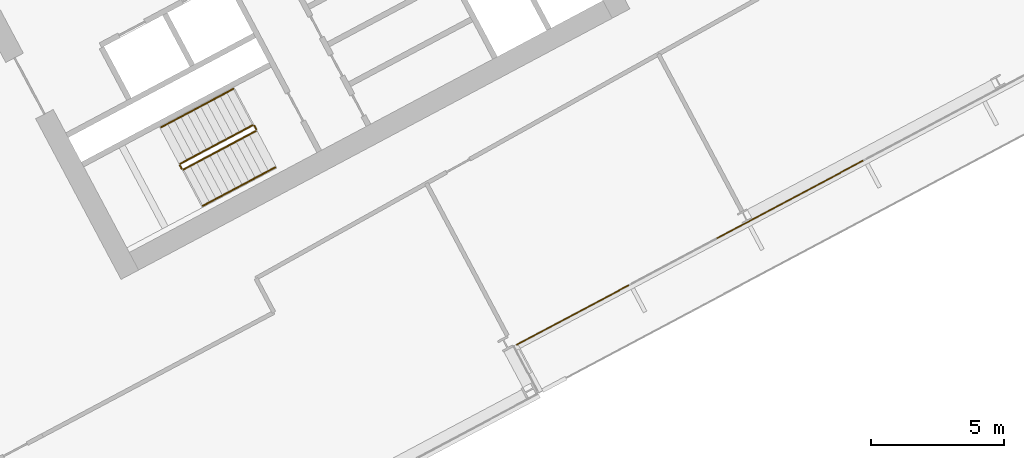
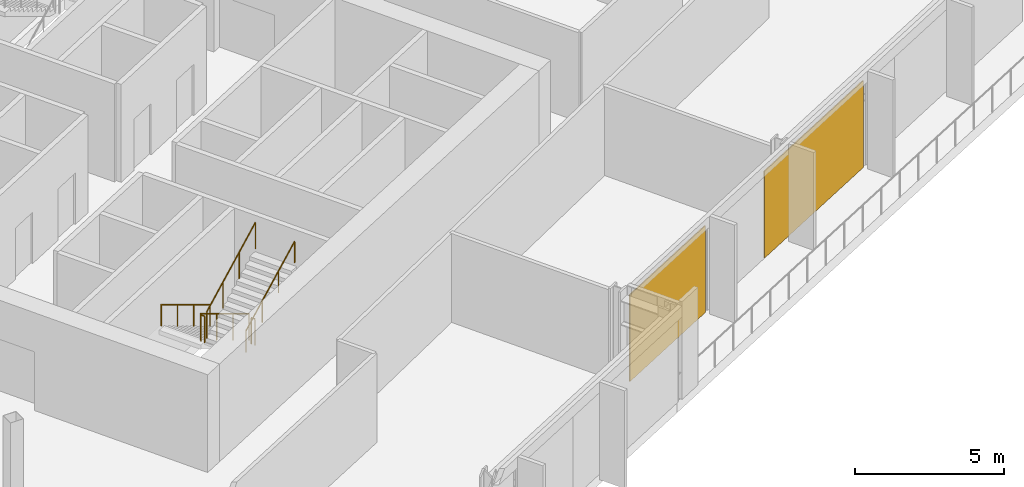
# One storey, part 30 of 34: 6 railings, 2 coverings, 1 element without a shape of its own.
"""IFC4 building model written with IfcOpenShell, lengths in metres."""

from ifc_helpers import new_model, si_unit, direction, frame, origin, origin_2d, place, context, subcontext, project, spatial, polyline, rectangle, outline, extrude, material, layer, layer_set, type_object, element, aggregate, save


model = new_model("IFC4")

# Units and contexts
model_context = context("Model", 3, precision=1e-05, world=origin(), true_north=direction((0.0, 1.0)))
body_context = subcontext(model_context, "Body", "Model", "MODEL_VIEW")
ifc_project = project(units=[si_unit("LENGTHUNIT", "METRE"), si_unit("AREAUNIT", "SQUARE_METRE"), si_unit("VOLUMEUNIT", "CUBIC_METRE"), si_unit("PLANEANGLEUNIT", "RADIAN"), si_unit("MASSUNIT", "GRAM", prefix="KILO")], contexts=[model_context])

# Site, building, storey
site_placement = place(None, origin())
site = spatial("IfcSite", under=ifc_project, at=site_placement, CompositionType="ELEMENT")
building_placement = place(site_placement, origin())
building = spatial("IfcBuilding", under=site, at=building_placement, Name="Cormorant Relay Tower", CompositionType="ELEMENT")
storey_placement = place(building_placement, frame((0.0, 0.0, 118.199951171875)))
storey = spatial("IfcBuildingStorey", under=building, at=storey_placement, Name="L23", CompositionType="ELEMENT", Elevation=118.199951171875)

# Curtain wall, coverings
ifc_material_1 = material(Name="Aluminium 6063-T6 anodised bronze", Category="aluminium")
ifc_layer_1 = layer(ifc_material_1, 0.199951171875)
ifc_layer_set_1 = layer_set([ifc_layer_1], Name="CW1 unitised bronze curtain wall with vertical fins")
curtain_wall_type = type_object("IfcCurtainWallType", Name="CW1 unitised bronze curtain wall with vertical fins", PredefinedType="NOTDEFINED", material=ifc_layer_set_1)
curtain_wall_placement = place(storey_placement, origin())
curtain_wall = element("IfcCurtainWall", 1, at=curtain_wall_placement, inside=storey, type_object=curtain_wall_type, Name="CW1 curtain wall 4", PredefinedType="NOTDEFINED")
ifc_material_2 = material(Name="Pale bronze anodised aluminium insulated panel", Category="aluminium")
ifc_layer_2 = layer(ifc_material_2, 0.0400390625)
ifc_layer_set_2 = layer_set([ifc_layer_2], Name="CW1 pale bronze insulated panel 40")
covering_type = type_object("IfcCoveringType", Name="CW1 pale bronze insulated panel 40", PredefinedType="CLADDING", material=ifc_layer_set_2)
covering_1_placement = place(storey_placement, frame((35.892333984375, -2.457275390625, 0.0), z_axis=(0.0, 0.0, 1.0), x_axis=(0.882947592859, 0.469471562786, 0.0)))
covering_1 = element("IfcCovering", 2, at=covering_1_placement, type_object=covering_type, Name="CW1 panel S00", PredefinedType="CLADDING", context=body_context, shape_type="SweptSolid", body=[
    extrude(rectangle(XDim=4.77490234375, YDim=0.0400390625, at=origin_2d()), origin(), (0.0, 0.0, 1.0), 3.550048828125),
])
covering_2_placement = place(storey_placement, frame((44.07080078125, 1.891357421875, 0.0), z_axis=(0.0, 0.0, 1.0), x_axis=(0.882947592859, 0.469471562786, 0.0)))
covering_2 = element("IfcCovering", 3, at=covering_2_placement, type_object=covering_type, Name="CW1 panel S02", PredefinedType="CLADDING", context=body_context, shape_type="SweptSolid", body=[
    extrude(rectangle(XDim=6.25, YDim=0.0400390625, at=origin_2d()), origin(), (0.0, 0.0, 1.0), 3.550048828125),
])
aggregate(curtain_wall, [covering_1, covering_2])

# Railings
ifc_material_3 = material(Name="Steel ASTM A572 Grade 50 (Fy 345 MPa)", Category="steel")
railing_type_1 = type_object("IfcRailingType", Name="Stair guard 1100", PredefinedType="GUARDRAIL", material=ifc_material_3)
railing_1_placement = place(storey_placement, frame((23.83837890625, 4.6904296875, 0.166748046875)))
element("IfcRailing", 4, at=railing_1_placement, inside=storey, type_object=railing_type_1, Name="L23 B1 stair guard 1", PredefinedType="GUARDRAIL", context=body_context, shape_type="SweptSolid", body=[
    extrude(outline(polyline([(0.022216796875, 0.00927734375), (0.00927734375, 0.022216796875), (-0.00927734375, 0.022216796875), (-0.022216796875, 0.00927734375), (-0.022216796875, -0.00927734375), (-0.00927734375, -0.022216796875), (0.00927734375, -0.022216796875), (0.022216796875, -0.00927734375), (0.022216796875, 0.00927734375)])), frame((0.0, 0.0, 1.076171875), z_axis=(-0.758713656843, -0.403434867536, 0.511462505542), x_axis=(0.469489399267, -0.882938108802, 0.0)), (0.0, 0.0, 1.0), 3.584228515625),
    extrude(outline(polyline([(0.019287109375, 0.008056640625), (0.008056640625, 0.019287109375), (-0.008056640625, 0.019287109375), (-0.019287109375, 0.008056640625), (-0.019287109375, -0.008056640625), (-0.008056640625, -0.019287109375), (0.008056640625, -0.019287109375), (0.019287109375, -0.008056640625), (0.019287109375, 0.008056640625)])), origin(), (0.0, 0.0, 1.0), 1.052001953125),
    extrude(outline(polyline([(0.019287109375, 0.008056640625), (0.008056640625, 0.019287109375), (-0.008056640625, 0.019287109375), (-0.019287109375, 0.008056640625), (-0.019287109375, -0.008056640625), (-0.008056640625, -0.019287109375), (0.008056640625, -0.019287109375), (0.019287109375, -0.008056640625), (0.019287109375, 0.008056640625)])), frame((-0.906494140625, -0.48193359375, 0.611083984375)), (0.0, 0.0, 1.0), 1.052001953125),
    extrude(outline(polyline([(0.019287109375, 0.008056640625), (0.008056640625, 0.019287109375), (-0.008056640625, 0.019287109375), (-0.019287109375, 0.008056640625), (-0.019287109375, -0.008056640625), (-0.008056640625, -0.019287109375), (0.008056640625, -0.019287109375), (0.019287109375, -0.008056640625), (0.019287109375, 0.008056640625)])), frame((-1.81298828125, -0.964111328125, 1.22216796875)), (0.0, 0.0, 1.0), 1.052001953125),
    extrude(outline(polyline([(0.019287109375, 0.008056640625), (0.008056640625, 0.019287109375), (-0.008056640625, 0.019287109375), (-0.019287109375, 0.008056640625), (-0.019287109375, -0.008056640625), (-0.008056640625, -0.019287109375), (0.008056640625, -0.019287109375), (0.019287109375, -0.008056640625), (0.019287109375, 0.008056640625)])), frame((-2.719482421875, -1.446044921875, 1.833251953125)), (0.0, 0.0, 1.0), 1.052001953125),
])
railing_2_placement = place(storey_placement, frame((21.09814453125, 3.1767578125, 2.0)))
element("IfcRailing", 5, at=railing_2_placement, inside=storey, type_object=railing_type_1, Name="L23 B1 stair guard 2", PredefinedType="GUARDRAIL", context=body_context, shape_type="SweptSolid", body=[
    extrude(outline(polyline([(0.022216796875, 0.00927734375), (0.00927734375, 0.022216796875), (-0.00927734375, 0.022216796875), (-0.022216796875, 0.00927734375), (-0.022216796875, -0.00927734375), (-0.00927734375, -0.022216796875), (0.00927734375, -0.022216796875), (0.022216796875, -0.00927734375), (0.022216796875, 0.00927734375)])), frame((0.0, 0.0, 1.076171875), z_axis=(0.469234640946, -0.883073525669, 0.0), x_axis=(0.883073525669, 0.469234640946, 0.0)), (0.0, 0.0, 1.0), 0.14990234375),
    extrude(outline(polyline([(0.019287109375, 0.008056640625), (0.008056640625, 0.019287109375), (-0.008056640625, 0.019287109375), (-0.019287109375, 0.008056640625), (-0.019287109375, -0.008056640625), (-0.008056640625, -0.019287109375), (0.008056640625, -0.019287109375), (0.019287109375, -0.008056640625), (0.019287109375, 0.008056640625)])), origin(), (0.0, 0.0, 1.0), 1.052001953125),
    extrude(outline(polyline([(0.019287109375, 0.008056640625), (0.008056640625, 0.019287109375), (-0.008056640625, 0.019287109375), (-0.019287109375, 0.008056640625), (-0.019287109375, -0.008056640625), (-0.008056640625, -0.019287109375), (0.008056640625, -0.019287109375), (0.019287109375, -0.008056640625), (0.019287109375, 0.008056640625)])), frame((0.0703125, -0.13232421875, 0.0)), (0.0, 0.0, 1.0), 1.052001953125),
])
railing_3_placement = place(storey_placement, frame((21.236083984375, 3.023681640625, 2.166748046875)))
element("IfcRailing", 6, at=railing_3_placement, inside=storey, type_object=railing_type_1, Name="L23 B1 stair guard 3", PredefinedType="GUARDRAIL", context=body_context, shape_type="SweptSolid", body=[
    extrude(outline(polyline([(0.022216796875, 0.00927734375), (0.00927734375, 0.022216796875), (-0.00927734375, 0.022216796875), (-0.022216796875, 0.00927734375), (-0.022216796875, -0.00927734375), (-0.00927734375, -0.022216796875), (0.00927734375, -0.022216796875), (0.022216796875, -0.00927734375), (0.022216796875, 0.00927734375)])), frame((0.0, 0.0, 1.076171875), z_axis=(0.758713656843, 0.403434867536, 0.511462505542), x_axis=(-0.469489399267, 0.882938108802, 0.0)), (0.0, 0.0, 1.0), 3.584228515625),
    extrude(outline(polyline([(0.019287109375, 0.008056640625), (0.008056640625, 0.019287109375), (-0.008056640625, 0.019287109375), (-0.019287109375, 0.008056640625), (-0.019287109375, -0.008056640625), (-0.008056640625, -0.019287109375), (0.008056640625, -0.019287109375), (0.019287109375, -0.008056640625), (0.019287109375, 0.008056640625)])), origin(), (0.0, 0.0, 1.0), 1.052001953125),
    extrude(outline(polyline([(0.019287109375, 0.008056640625), (0.008056640625, 0.019287109375), (-0.008056640625, 0.019287109375), (-0.019287109375, 0.008056640625), (-0.019287109375, -0.008056640625), (-0.008056640625, -0.019287109375), (0.008056640625, -0.019287109375), (0.019287109375, -0.008056640625), (0.019287109375, 0.008056640625)])), frame((0.906494140625, 0.48193359375, 0.611083984375)), (0.0, 0.0, 1.0), 1.052001953125),
    extrude(outline(polyline([(0.019287109375, 0.008056640625), (0.008056640625, 0.019287109375), (-0.008056640625, 0.019287109375), (-0.019287109375, 0.008056640625), (-0.019287109375, -0.008056640625), (-0.008056640625, -0.019287109375), (0.008056640625, -0.019287109375), (0.019287109375, -0.008056640625), (0.019287109375, 0.008056640625)])), frame((1.81298828125, 0.964111328125, 1.22216796875)), (0.0, 0.0, 1.0), 1.052001953125),
    extrude(outline(polyline([(0.019287109375, 0.008056640625), (0.008056640625, 0.019287109375), (-0.008056640625, 0.019287109375), (-0.019287109375, 0.008056640625), (-0.019287109375, -0.008056640625), (-0.008056640625, -0.019287109375), (0.008056640625, -0.019287109375), (0.019287109375, -0.008056640625), (0.019287109375, 0.008056640625)])), frame((2.719482421875, 1.446044921875, 1.833251953125)), (0.0, 0.0, 1.0), 1.052001953125),
])
railing_4_placement = place(storey_placement, frame((23.906005859375, 4.669677734375, 0.0)))
element("IfcRailing", 7, at=railing_4_placement, inside=storey, type_object=railing_type_1, Name="L23 B1 stair guard 4", PredefinedType="GUARDRAIL", context=body_context, shape_type="SweptSolid", body=[
    extrude(outline(polyline([(0.022216796875, 0.00927734375), (0.00927734375, 0.022216796875), (-0.00927734375, 0.022216796875), (-0.022216796875, 0.00927734375), (-0.022216796875, -0.00927734375), (-0.00927734375, -0.022216796875), (0.00927734375, -0.022216796875), (0.022216796875, -0.00927734375), (0.022216796875, 0.00927734375)])), frame((0.0, 0.0, 1.076171875), z_axis=(0.469234640946, -0.883073525669, 0.0), x_axis=(0.883073525669, 0.469234640946, 0.0)), (0.0, 0.0, 1.0), 0.14990234375),
    extrude(outline(polyline([(0.019287109375, 0.008056640625), (0.008056640625, 0.019287109375), (-0.008056640625, 0.019287109375), (-0.019287109375, 0.008056640625), (-0.019287109375, -0.008056640625), (-0.008056640625, -0.019287109375), (0.008056640625, -0.019287109375), (0.019287109375, -0.008056640625), (0.019287109375, 0.008056640625)])), origin(), (0.0, 0.0, 1.0), 1.052001953125),
    extrude(outline(polyline([(0.019287109375, 0.008056640625), (0.008056640625, 0.019287109375), (-0.008056640625, 0.019287109375), (-0.019287109375, 0.008056640625), (-0.019287109375, -0.008056640625), (-0.008056640625, -0.019287109375), (0.008056640625, -0.019287109375), (0.019287109375, -0.008056640625), (0.019287109375, 0.008056640625)])), frame((0.0703125, -0.13232421875, 0.0)), (0.0, 0.0, 1.0), 1.052001953125),
])
ifc_material_4 = material(Name="Steel ASTM A572 Grade 50 (Fy 345 MPa)", Category="steel")
railing_type_2 = type_object("IfcRailingType", Name="Stair handrail 900", PredefinedType="HANDRAIL", material=ifc_material_4)
railing_5_placement = place(storey_placement, frame((23.110595703125, 6.05908203125, 0.166748046875)))
element("IfcRailing", 8, at=railing_5_placement, inside=storey, type_object=railing_type_2, Name="L23 B1 stair handrail 1", PredefinedType="HANDRAIL", context=body_context, shape_type="SweptSolid", body=[
    extrude(outline(polyline([(0.022216796875, 0.00927734375), (0.00927734375, 0.022216796875), (-0.00927734375, 0.022216796875), (-0.022216796875, 0.00927734375), (-0.022216796875, -0.00927734375), (-0.00927734375, -0.022216796875), (0.00927734375, -0.022216796875), (0.022216796875, -0.00927734375), (0.022216796875, 0.00927734375)])), frame((0.0, 0.0, 0.8759765625), z_axis=(-0.758713656843, -0.403434867536, 0.511462505542), x_axis=(0.469489399267, -0.882938108802, 0.0)), (0.0, 0.0, 1.0), 3.584228515625),
    extrude(outline(polyline([(0.019287109375, 0.008056640625), (0.008056640625, 0.019287109375), (-0.008056640625, 0.019287109375), (-0.019287109375, 0.008056640625), (-0.019287109375, -0.008056640625), (-0.008056640625, -0.019287109375), (0.008056640625, -0.019287109375), (0.019287109375, -0.008056640625), (0.019287109375, 0.008056640625)])), origin(), (0.0, 0.0, 1.0), 0.851806640625),
    extrude(outline(polyline([(0.019287109375, 0.008056640625), (0.008056640625, 0.019287109375), (-0.008056640625, 0.019287109375), (-0.019287109375, 0.008056640625), (-0.019287109375, -0.008056640625), (-0.008056640625, -0.019287109375), (0.008056640625, -0.019287109375), (0.019287109375, -0.008056640625), (0.019287109375, 0.008056640625)])), frame((-0.906494140625, -0.48193359375, 0.611083984375)), (0.0, 0.0, 1.0), 0.851806640625),
    extrude(outline(polyline([(0.019287109375, 0.008056640625), (0.008056640625, 0.019287109375), (-0.008056640625, 0.019287109375), (-0.019287109375, 0.008056640625), (-0.019287109375, -0.008056640625), (-0.008056640625, -0.019287109375), (0.008056640625, -0.019287109375), (0.019287109375, -0.008056640625), (0.019287109375, 0.008056640625)])), frame((-1.81298828125, -0.964111328125, 1.22216796875)), (0.0, 0.0, 1.0), 0.851806640625),
    extrude(outline(polyline([(0.019287109375, 0.008056640625), (0.008056640625, 0.019287109375), (-0.008056640625, 0.019287109375), (-0.019287109375, 0.008056640625), (-0.019287109375, -0.008056640625), (-0.008056640625, -0.019287109375), (0.008056640625, -0.019287109375), (0.019287109375, -0.008056640625), (0.019287109375, 0.008056640625)])), frame((-2.719482421875, -1.446044921875, 1.833251953125)), (0.0, 0.0, 1.0), 0.851806640625),
])
railing_6_placement = place(storey_placement, frame((21.9638671875, 1.6552734375, 2.166748046875)))
element("IfcRailing", 9, at=railing_6_placement, inside=storey, type_object=railing_type_2, Name="L23 B1 stair handrail 2", PredefinedType="HANDRAIL", context=body_context, shape_type="SweptSolid", body=[
    extrude(outline(polyline([(0.022216796875, 0.00927734375), (0.00927734375, 0.022216796875), (-0.00927734375, 0.022216796875), (-0.022216796875, 0.00927734375), (-0.022216796875, -0.00927734375), (-0.00927734375, -0.022216796875), (0.00927734375, -0.022216796875), (0.022216796875, -0.00927734375), (0.022216796875, 0.00927734375)])), frame((0.0, 0.0, 0.8759765625), z_axis=(0.758734504837, 0.403377838015, 0.511476559549), x_axis=(-0.469427602063, 0.882970965786, 0.0)), (0.0, 0.0, 1.0), 3.584228515625),
    extrude(outline(polyline([(0.019287109375, 0.008056640625), (0.008056640625, 0.019287109375), (-0.008056640625, 0.019287109375), (-0.019287109375, 0.008056640625), (-0.019287109375, -0.008056640625), (-0.008056640625, -0.019287109375), (0.008056640625, -0.019287109375), (0.019287109375, -0.008056640625), (0.019287109375, 0.008056640625)])), origin(), (0.0, 0.0, 1.0), 0.851806640625),
    extrude(outline(polyline([(0.019287109375, 0.008056640625), (0.008056640625, 0.019287109375), (-0.008056640625, 0.019287109375), (-0.019287109375, 0.008056640625), (-0.019287109375, -0.008056640625), (-0.008056640625, -0.019287109375), (0.008056640625, -0.019287109375), (0.019287109375, -0.008056640625), (0.019287109375, 0.008056640625)])), frame((0.906494140625, 0.48193359375, 0.611083984375)), (0.0, 0.0, 1.0), 0.851806640625),
    extrude(outline(polyline([(0.019287109375, 0.008056640625), (0.008056640625, 0.019287109375), (-0.008056640625, 0.019287109375), (-0.019287109375, 0.008056640625), (-0.019287109375, -0.008056640625), (-0.008056640625, -0.019287109375), (0.008056640625, -0.019287109375), (0.019287109375, -0.008056640625), (0.019287109375, 0.008056640625)])), frame((1.81298828125, 0.9638671875, 1.22216796875)), (0.0, 0.0, 1.0), 0.851806640625),
    extrude(outline(polyline([(0.019287109375, 0.008056640625), (0.008056640625, 0.019287109375), (-0.008056640625, 0.019287109375), (-0.019287109375, 0.008056640625), (-0.019287109375, -0.008056640625), (-0.008056640625, -0.019287109375), (0.008056640625, -0.019287109375), (0.019287109375, -0.008056640625), (0.019287109375, 0.008056640625)])), frame((2.719482421875, 1.44580078125, 1.833251953125)), (0.0, 0.0, 1.0), 0.851806640625),
])

save(model, "model.ifc")
